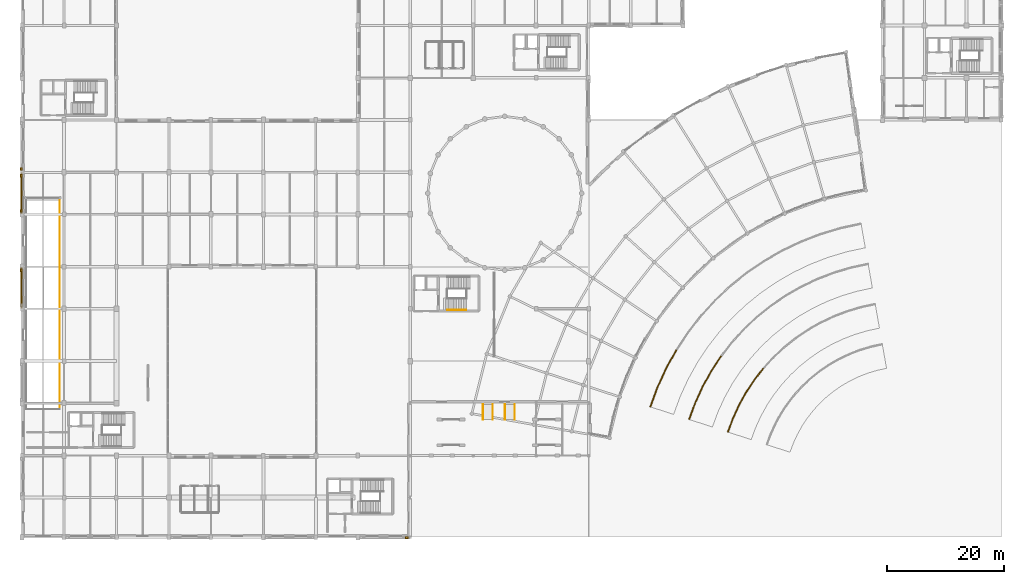
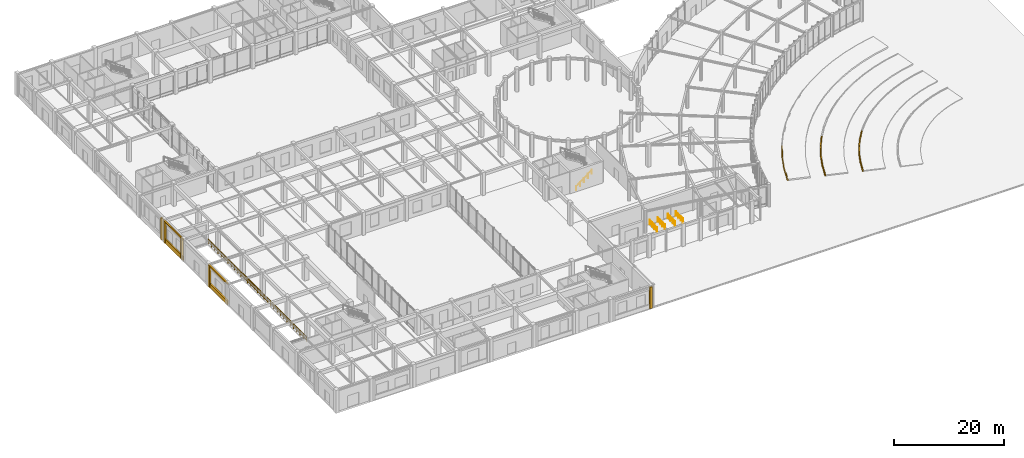
# One storey, part 59 of 64: 21 coverings, 6 railings.
"""IFC4 building model written with IfcOpenShell, lengths in metres."""

from ifc_helpers import new_model, si_unit, direction, frame, frame_2d, origin, origin_2d, place, context, subcontext, project, spatial, rectangle, circle, extrude, material, layer, layer_set, type_object, element, save


model = new_model("IFC4")

# Units and contexts
model_context = context("Model", 3, precision=1e-05, world=origin(), true_north=direction((0.0, 1.0)))
body_context = subcontext(model_context, "Body", "Model", "MODEL_VIEW")
ifc_project = project(units=[si_unit("LENGTHUNIT", "METRE"), si_unit("AREAUNIT", "SQUARE_METRE"), si_unit("VOLUMEUNIT", "CUBIC_METRE"), si_unit("PLANEANGLEUNIT", "RADIAN"), si_unit("MASSUNIT", "GRAM", prefix="KILO")], contexts=[model_context])

# Site, building, storey
site_placement = place(None, origin())
site = spatial("IfcSite", under=ifc_project, at=site_placement, CompositionType="ELEMENT")
building_placement = place(site_placement, origin())
building = spatial("IfcBuilding", under=site, at=building_placement, Name="Clarverna Civic Hall", CompositionType="ELEMENT")
storey_placement = place(building_placement, origin())
storey = spatial("IfcBuildingStorey", under=building, at=storey_placement, Name="L00", CompositionType="ELEMENT", Elevation=0.0)

# Coverings
ifc_material_1 = material(Name="Thermally Modified Teak Wood Slat Fascia Cladding", Category="wood")
ifc_layer_1 = layer(ifc_material_1, 0.080078125)
ifc_layer_set_1 = layer_set([ifc_layer_1], Name="Thermally Modified Teak Wood Slat Fascia Cladding")
covering_type_1 = type_object("IfcCoveringType", Name="CV-CL1", PredefinedType="CLADDING", material=ifc_layer_set_1)
covering_1_placement = place(storey_placement, frame((112.26171875, 32.147705078125, 0.02001953125), z_axis=(0.0, 0.0, 1.0), x_axis=(-0.485919801726, -0.874003401762, 0.0)))
element("IfcCovering", 1, at=covering_1_placement, inside=storey, type_object=covering_type_1, Name="CV-CL1-012", PredefinedType="CLADDING", context=body_context, shape_type="SweptSolid", body=[
    extrude(rectangle(XDim=3.59326171875, YDim=0.179931640625, at=frame_2d((1.796630859375, 0.0))), origin(), (0.0, 0.0, 1.0), 0.320068359375),
])
covering_2_placement = place(storey_placement, frame((110.515625, 29.007080078125, 0.02001953125), z_axis=(0.0, 0.0, 1.0), x_axis=(-0.416928433005, -0.90893931687, 0.0)))
element("IfcCovering", 2, at=covering_2_placement, inside=storey, type_object=covering_type_1, Name="CV-CL1-013", PredefinedType="CLADDING", context=body_context, shape_type="SweptSolid", body=[
    extrude(rectangle(XDim=3.593017578125, YDim=0.179931640625, at=frame_2d((1.79638671875, 0.0))), origin(), (0.0, 0.0, 1.0), 0.320068359375),
])
covering_3_placement = place(storey_placement, frame((109.017578125, 25.7412109375, 0.02001953125), z_axis=(0.0, 0.0, 1.0), x_axis=(-0.345569961724, -0.938392988867, 0.0)))
element("IfcCovering", 3, at=covering_3_placement, inside=storey, type_object=covering_type_1, Name="CV-CL1-014", PredefinedType="CLADDING", context=body_context, shape_type="SweptSolid", body=[
    extrude(rectangle(XDim=3.59326171875, YDim=0.179931640625, at=frame_2d((1.796630859375, 0.0))), origin(), (0.0, 0.0, 1.0), 0.320068359375),
])
covering_4_placement = place(storey_placement, frame((119.928466796875, 31.057861328125, 0.02001953125), z_axis=(0.0, 0.0, 1.0), x_axis=(-0.55192825399, -0.833891601137, 0.0)))
element("IfcCovering", 4, at=covering_4_placement, inside=storey, type_object=covering_type_1, Name="CV-CL1-025", PredefinedType="CLADDING", context=body_context, shape_type="SweptSolid", body=[
    extrude(rectangle(XDim=3.05224609375, YDim=0.179931640625, at=frame_2d((1.526123046875, 0.0))), origin(), (0.0, 0.0, 1.0), 0.320068359375),
])
covering_5_placement = place(storey_placement, frame((118.243896484375, 28.5126953125, 0.02001953125), z_axis=(0.0, 0.0, 1.0), x_axis=(-0.485941685693, -0.873991234571, 0.0)))
element("IfcCovering", 5, at=covering_5_placement, inside=storey, type_object=covering_type_1, Name="CV-CL1-026", PredefinedType="CLADDING", context=body_context, shape_type="SweptSolid", body=[
    extrude(rectangle(XDim=3.052734375, YDim=0.179931640625, at=frame_2d((1.5263671875, 0.0))), origin(), (0.0, 0.0, 1.0), 0.320068359375),
])
for number, where, z_axis, x_axis, name in (
    (6, (116.760498046875, 25.8447265625, 0.02001953125), (0.0, 0.0, 1.0), (-0.416982443049, -0.908914540641, 0.0), "CV-CL1-027"),
    (7, (115.48779296875, 23.070556640625, 0.02001953125), (0.0, 0.0, 1.0), (-0.345471819714, -0.938429124539, 0.0), "CV-CL1-028"),
):
    element("IfcCovering", number, at=place(storey_placement, frame(where, z_axis=z_axis, x_axis=x_axis)), inside=storey, type_object=covering_type_1, Name=name, PredefinedType="CLADDING", context=body_context, shape_type="SweptSolid", body=[
        extrude(rectangle(XDim=3.05224609375, YDim=0.179931640625, at=frame_2d((1.526123046875, 0.0))), origin(), (0.0, 0.0, 1.0), 0.320068359375),
    ])
for number, where, z_axis, x_axis, name in (
    (8, (127.15576171875, 28.95263671875, 0.02001953125), (0.0, 0.0, 1.0), (-0.614673928025, -0.788781314565, 0.0), "CV-CL1-038"),
    (9, (125.612060546875, 26.9716796875, 0.02001953125), (0.0, 0.0, 1.0), (-0.551960350314, -0.833870356639, 0.0), "CV-CL1-039"),
    (10, (124.225830078125, 24.87744140625, 0.02001953125), (0.0, 0.0, 1.0), (-0.48586576941, -0.87403343993, 0.0), "CV-CL1-040"),
):
    element("IfcCovering", number, at=place(storey_placement, frame(where, z_axis=z_axis, x_axis=x_axis)), inside=storey, type_object=covering_type_1, Name=name, PredefinedType="CLADDING", context=body_context, shape_type="SweptSolid", body=[
        extrude(rectangle(XDim=2.511474609375, YDim=0.179931640625, at=frame_2d((1.255859375, 0.0))), origin(), (0.0, 0.0, 1.0), 0.320068359375),
    ])
for number, where, z_axis, x_axis, name in (
    (11, (123.005615234375, 22.682373046875, 0.02001953125), (0.0, 0.0, 1.0), (-0.416979403701, -0.908915934996, 0.0), "CV-CL1-041"),
    (12, (121.95849609375, 20.39990234375, 0.02001953125), (0.0, 0.0, 1.0), (-0.345502621617, -0.938417784601, 0.0), "CV-CL1-042"),
):
    element("IfcCovering", number, at=place(storey_placement, frame(where, z_axis=z_axis, x_axis=x_axis)), inside=storey, type_object=covering_type_1, Name=name, PredefinedType="CLADDING", context=body_context, shape_type="SweptSolid", body=[
        extrude(rectangle(XDim=2.51123046875, YDim=0.179931640625, at=frame_2d((1.255615234375, 0.0))), origin(), (0.0, 0.0, 1.0), 0.320068359375),
    ])
ifc_material_2 = material(Name="Montjuic Buff Limestone Ashlar Cladding", Category="masonry")
ifc_layer_2 = layer(ifc_material_2, 0.070068359375)
ifc_layer_set_2 = layer_set([ifc_layer_2], Name="Montjuic Buff Limestone Ashlar Cladding")
covering_type_2 = type_object("IfcCoveringType", Name="CV-CL2", PredefinedType="CLADDING", material=ifc_layer_set_2)
covering_6_placement = place(storey_placement, frame((-0.080078125, 39.260009765625, 4.5), z_axis=(0.0, 0.0, 1.0), x_axis=(0.0, 1.0, 0.0)))
element("IfcCovering", 13, at=covering_6_placement, inside=storey, type_object=covering_type_2, Name="CV-CL2-009", PredefinedType="CLADDING", context=body_context, shape_type="SweptSolid", body=[
    extrude(rectangle(XDim=7.080078125, YDim=0.280029296875, at=frame_2d((3.5400390625, 0.0))), origin(), (0.0, 0.0, 1.0), 0.300048828125),
])
covering_7_placement = place(storey_placement, frame((-0.080078125, 39.260009765625, 0.0), z_axis=(0.0, 0.0, 1.0), x_axis=(0.0, 1.0, 0.0)))
element("IfcCovering", 14, at=covering_7_placement, inside=storey, type_object=covering_type_2, Name="CV-CL2-010", PredefinedType="CLADDING", context=body_context, shape_type="SweptSolid", body=[
    extrude(rectangle(XDim=7.080078125, YDim=0.260009765625, at=frame_2d((3.5400390625, 0.0))), origin(), (0.0, 0.0, 1.0), 0.919921875),
])
covering_8_placement = place(storey_placement, frame((-0.110107421875, 45.580078125, 0.0), z_axis=(0.0, 0.0, 1.0), x_axis=(0.0, 1.0, 0.0)))
element("IfcCovering", 15, at=covering_8_placement, inside=storey, type_object=covering_type_2, Name="CV-CL2-012", PredefinedType="CLADDING", context=body_context, shape_type="SweptSolid", body=[
    extrude(rectangle(XDim=0.5, YDim=0.340087890625, at=frame_2d((0.25, 0.0))), origin(), (0.0, 0.0, 1.0), 4.780029296875),
])
covering_9_placement = place(storey_placement, frame((-0.080078125, 55.4599609375, 4.5), z_axis=(0.0, 0.0, 1.0), x_axis=(0.0, 1.0, 0.0)))
element("IfcCovering", 16, at=covering_9_placement, inside=storey, type_object=covering_type_2, Name="CV-CL2-013", PredefinedType="CLADDING", context=body_context, shape_type="SweptSolid", body=[
    extrude(rectangle(XDim=7.080078125, YDim=0.280029296875, at=frame_2d((3.5400390625, 0.0))), origin(), (0.0, 0.0, 1.0), 0.300048828125),
])
covering_10_placement = place(storey_placement, frame((-0.080078125, 55.4599609375, 0.0), z_axis=(0.0, 0.0, 1.0), x_axis=(0.0, 1.0, 0.0)))
element("IfcCovering", 17, at=covering_10_placement, inside=storey, type_object=covering_type_2, Name="CV-CL2-014", PredefinedType="CLADDING", context=body_context, shape_type="SweptSolid", body=[
    extrude(rectangle(XDim=7.080078125, YDim=0.260009765625, at=frame_2d((3.5400390625, 0.0))), origin(), (0.0, 0.0, 1.0), 0.919921875),
])
for number, where, z_axis, x_axis, name in (
    (18, (-0.110107421875, 55.719970703125, 0.0), (0.0, 0.0, 1.0), (0.0, 1.0, 0.0), "CV-CL2-015"),
    (19, (-0.110107421875, 61.780029296875, 0.0), (0.0, 0.0, 1.0), (0.0, 1.0, 0.0), "CV-CL2-016"),
):
    element("IfcCovering", number, at=place(storey_placement, frame(where, z_axis=z_axis, x_axis=x_axis)), inside=storey, type_object=covering_type_2, Name=name, PredefinedType="CLADDING", context=body_context, shape_type="SweptSolid", body=[
        extrude(rectangle(XDim=0.5, YDim=0.340087890625, at=frame_2d((0.25, 0.0))), origin(), (0.0, 0.0, 1.0), 4.780029296875),
    ])
covering_11_placement = place(storey_placement, frame((-0.110107421875, 62.919921875, 0.0), z_axis=(0.0, 0.0, 1.0), x_axis=(0.0, 1.0, 0.0)))
element("IfcCovering", 20, at=covering_11_placement, inside=storey, type_object=covering_type_2, Name="CV-CL2-019", PredefinedType="CLADDING", context=body_context, shape_type="SweptSolid", body=[
    extrude(rectangle(XDim=0.5, YDim=0.340087890625, at=frame_2d((0.25, 0.0))), origin(), (0.0, 0.0, 1.0), 4.820068359375),
])
covering_12_placement = place(storey_placement, frame((66.2548828125, -0.110107421875, 0.0), z_axis=(0.0, 0.0, 1.0), x_axis=(-1.0, 0.0, 0.0)))
element("IfcCovering", 21, at=covering_12_placement, inside=storey, type_object=covering_type_2, Name="CV-CL2-142", PredefinedType="CLADDING", context=body_context, shape_type="SweptSolid", body=[
    extrude(rectangle(XDim=0.5, YDim=0.340087890625, at=frame_2d((0.25, 0.0))), origin(), (0.0, 0.0, 1.0), 4.780029296875),
])

# Railings
ifc_material_3 = material(Name="Anodised Bronze Architectural Balustrade")
railing_type_1 = type_object("IfcRailingType", Name="GR-01", PredefinedType="BALUSTRADE", material=ifc_material_3)
for number, where, name in (
    (22, (79.06005859375, 20.199951171875, 0.0), "GR-01-053"),
    (23, (80.739990234375, 20.199951171875, 0.0), "GR-01-054"),
    (24, (82.860107421875, 20.199951171875, 0.0), "GR-01-055"),
    (25, (84.5400390625, 20.199951171875, 0.0), "GR-01-056"),
):
    element("IfcRailing", number, at=place(storey_placement, frame(where)), inside=storey, type_object=railing_type_1, Name=name, PredefinedType="BALUSTRADE", context=body_context, shape_type="SweptSolid", body=[
        extrude(circle(Radius=0.02392578125, at=origin_2d()), frame((0.0, 0.0, 1.09619140625), z_axis=(0.0, 0.999970359933, 0.007699302302), x_axis=(-1.0, 0.0, 0.0)), (0.0, 0.0, 1.0), 2.60009765625),
        extrude(circle(Radius=0.011962890625, at=origin_2d()), frame((0.0, 0.0, 0.39208984375), z_axis=(0.0, 0.999970359933, 0.007699302302), x_axis=(-1.0, 0.0, 0.0)), (0.0, 0.0, 1.0), 2.60009765625),
        extrude(circle(Radius=0.011962890625, at=origin_2d()), frame((0.0, 0.0, 0.76171875), z_axis=(0.0, 0.999970359933, 0.007699302302), x_axis=(-1.0, 0.0, 0.0)), (0.0, 0.0, 1.0), 2.60009765625),
        extrude(circle(Radius=0.02099609375, at=origin_2d()), origin(), (0.0, 0.0, 1.0), 1.072021484375),
        extrude(circle(Radius=0.02099609375, at=origin_2d()), frame((0.0, 0.86669921875, 0.006591796875)), (0.0, 0.0, 1.0), 1.072021484375),
        extrude(circle(Radius=0.02099609375, at=origin_2d()), frame((0.0, 1.7333984375, 0.013427734375)), (0.0, 0.0, 1.0), 1.072021484375),
        extrude(circle(Radius=0.02099609375, at=origin_2d()), frame((0.0, 2.60009765625, 0.02001953125)), (0.0, 0.0, 1.0), 1.072021484375),
    ])
railing_type_2 = type_object("IfcRailingType", Name="GR-02", PredefinedType="BALUSTRADE", material=ifc_material_3)
railing_1_placement = place(storey_placement, frame((6.4599609375, 21.93994140625, 0.0)))
element("IfcRailing", 26, at=railing_1_placement, inside=storey, type_object=railing_type_2, Name="GR-02-002", PredefinedType="BALUSTRADE", context=body_context, shape_type="SweptSolid", body=[
    extrude(circle(Radius=0.02392578125, at=origin_2d()), frame((0.0, 0.0, 1.09619140625), z_axis=(0.0, 1.0, 0.0), x_axis=(-1.0, 0.0, 0.0)), (0.0, 0.0, 1.0), 35.81005859375),
    extrude(circle(Radius=0.011962890625, at=origin_2d()), frame((0.0, 0.0, 0.39208984375), z_axis=(0.0, 1.0, 0.0), x_axis=(-1.0, 0.0, 0.0)), (0.0, 0.0, 1.0), 35.81005859375),
    extrude(circle(Radius=0.011962890625, at=origin_2d()), frame((0.0, 0.0, 0.76171875), z_axis=(0.0, 1.0, 0.0), x_axis=(-1.0, 0.0, 0.0)), (0.0, 0.0, 1.0), 35.81005859375),
    extrude(circle(Radius=0.02099609375, at=origin_2d()), origin(), (0.0, 0.0, 1.0), 1.072021484375),
    extrude(circle(Radius=0.02099609375, at=origin_2d()), frame((0.0, 1.193603515625, 0.0)), (0.0, 0.0, 1.0), 1.072021484375),
    extrude(circle(Radius=0.02099609375, at=origin_2d()), frame((0.0, 2.387451171875, 0.0)), (0.0, 0.0, 1.0), 1.072021484375),
    extrude(circle(Radius=0.02099609375, at=origin_2d()), frame((0.0, 3.5810546875, 0.0)), (0.0, 0.0, 1.0), 1.072021484375),
    extrude(circle(Radius=0.02099609375, at=origin_2d()), frame((0.0, 4.774658203125, 0.0)), (0.0, 0.0, 1.0), 1.072021484375),
    extrude(circle(Radius=0.02099609375, at=origin_2d()), frame((0.0, 5.96826171875, 0.0)), (0.0, 0.0, 1.0), 1.072021484375),
    extrude(circle(Radius=0.02099609375, at=origin_2d()), frame((0.0, 7.162109375, 0.0)), (0.0, 0.0, 1.0), 1.072021484375),
    extrude(circle(Radius=0.02099609375, at=origin_2d()), frame((0.0, 8.355712890625, 0.0)), (0.0, 0.0, 1.0), 1.072021484375),
    extrude(circle(Radius=0.02099609375, at=origin_2d()), frame((0.0, 9.54931640625, 0.0)), (0.0, 0.0, 1.0), 1.072021484375),
    extrude(circle(Radius=0.02099609375, at=origin_2d()), frame((0.0, 10.742919921875, 0.0)), (0.0, 0.0, 1.0), 1.072021484375),
    extrude(circle(Radius=0.02099609375, at=origin_2d()), frame((0.0, 11.936767578125, 0.0)), (0.0, 0.0, 1.0), 1.072021484375),
    extrude(circle(Radius=0.02099609375, at=origin_2d()), frame((0.0, 13.13037109375, 0.0)), (0.0, 0.0, 1.0), 1.072021484375),
    extrude(circle(Radius=0.02099609375, at=origin_2d()), frame((0.0, 14.323974609375, 0.0)), (0.0, 0.0, 1.0), 1.072021484375),
    extrude(circle(Radius=0.02099609375, at=origin_2d()), frame((0.0, 15.517578125, 0.0)), (0.0, 0.0, 1.0), 1.072021484375),
    extrude(circle(Radius=0.02099609375, at=origin_2d()), frame((0.0, 16.71142578125, 0.0)), (0.0, 0.0, 1.0), 1.072021484375),
    extrude(circle(Radius=0.02099609375, at=origin_2d()), frame((0.0, 17.905029296875, 0.0)), (0.0, 0.0, 1.0), 1.072021484375),
    extrude(circle(Radius=0.02099609375, at=origin_2d()), frame((0.0, 19.0986328125, 0.0)), (0.0, 0.0, 1.0), 1.072021484375),
    extrude(circle(Radius=0.02099609375, at=origin_2d()), frame((0.0, 20.29248046875, 0.0)), (0.0, 0.0, 1.0), 1.072021484375),
    extrude(circle(Radius=0.02099609375, at=origin_2d()), frame((0.0, 21.486083984375, 0.0)), (0.0, 0.0, 1.0), 1.072021484375),
    extrude(circle(Radius=0.02099609375, at=origin_2d()), frame((0.0, 22.6796875, 0.0)), (0.0, 0.0, 1.0), 1.072021484375),
    extrude(circle(Radius=0.02099609375, at=origin_2d()), frame((0.0, 23.873291015625, 0.0)), (0.0, 0.0, 1.0), 1.072021484375),
    extrude(circle(Radius=0.02099609375, at=origin_2d()), frame((0.0, 25.067138671875, 0.0)), (0.0, 0.0, 1.0), 1.072021484375),
    extrude(circle(Radius=0.02099609375, at=origin_2d()), frame((0.0, 26.2607421875, 0.0)), (0.0, 0.0, 1.0), 1.072021484375),
    extrude(circle(Radius=0.02099609375, at=origin_2d()), frame((0.0, 27.454345703125, 0.0)), (0.0, 0.0, 1.0), 1.072021484375),
    extrude(circle(Radius=0.02099609375, at=origin_2d()), frame((0.0, 28.64794921875, 0.0)), (0.0, 0.0, 1.0), 1.072021484375),
    extrude(circle(Radius=0.02099609375, at=origin_2d()), frame((0.0, 29.841796875, 0.0)), (0.0, 0.0, 1.0), 1.072021484375),
    extrude(circle(Radius=0.02099609375, at=origin_2d()), frame((0.0, 31.035400390625, 0.0)), (0.0, 0.0, 1.0), 1.072021484375),
    extrude(circle(Radius=0.02099609375, at=origin_2d()), frame((0.0, 32.22900390625, 0.0)), (0.0, 0.0, 1.0), 1.072021484375),
    extrude(circle(Radius=0.02099609375, at=origin_2d()), frame((0.0, 33.422607421875, 0.0)), (0.0, 0.0, 1.0), 1.072021484375),
    extrude(circle(Radius=0.02099609375, at=origin_2d()), frame((0.0, 34.616455078125, 0.0)), (0.0, 0.0, 1.0), 1.072021484375),
    extrude(circle(Radius=0.02099609375, at=origin_2d()), frame((0.0, 35.81005859375, 0.0)), (0.0, 0.0, 1.0), 1.072021484375),
])
ifc_material_4 = material(Name="Anodised Bronze Continuous Handrail")
railing_type_3 = type_object("IfcRailingType", Name="HR-01", PredefinedType="HANDRAIL", material=ifc_material_4)
railing_2_placement = place(storey_placement, frame((72.949951171875, 38.97998046875, 0.0)))
element("IfcRailing", 27, at=railing_2_placement, inside=storey, type_object=railing_type_3, Name="HR-01-045", PredefinedType="HANDRAIL", context=body_context, shape_type="SweptSolid", body=[
    extrude(circle(Radius=0.02392578125, at=origin_2d()), frame((0.0, 0.0, 0.89599609375), z_axis=(0.788568541041, 0.0, 0.614946872568), x_axis=(0.0, 1.0, 0.0)), (0.0, 0.0, 1.0), 4.146728515625),
    extrude(circle(Radius=0.02099609375, at=origin_2d()), origin(), (0.0, 0.0, 1.0), 0.871826171875),
    extrude(circle(Radius=0.02099609375, at=origin_2d()), frame((0.8173828125, 0.0, 0.637451171875)), (0.0, 0.0, 1.0), 0.871826171875),
    extrude(circle(Radius=0.02099609375, at=origin_2d()), frame((1.635009765625, 0.0, 1.27490234375)), (0.0, 0.0, 1.0), 0.871826171875),
    extrude(circle(Radius=0.02099609375, at=origin_2d()), frame((2.45263671875, 0.0, 1.91259765625)), (0.0, 0.0, 1.0), 0.871826171875),
    extrude(circle(Radius=0.02099609375, at=origin_2d()), frame((3.27001953125, 0.0, 2.550048828125)), (0.0, 0.0, 1.0), 0.871826171875),
])

save(model, "model.ifc")
